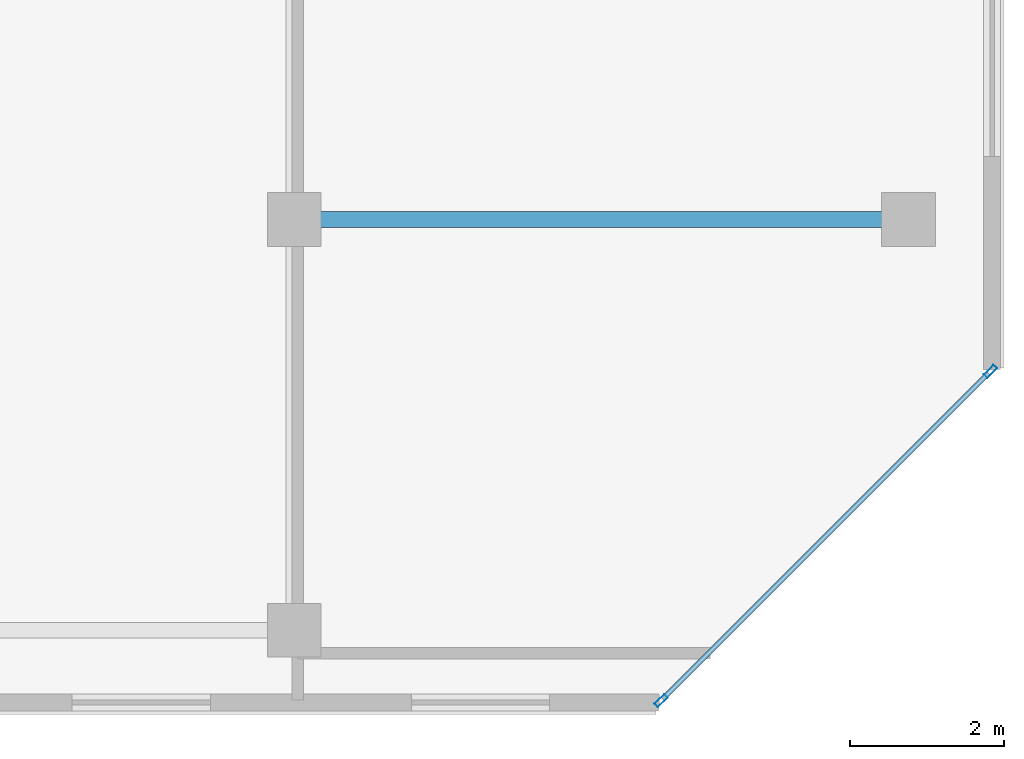
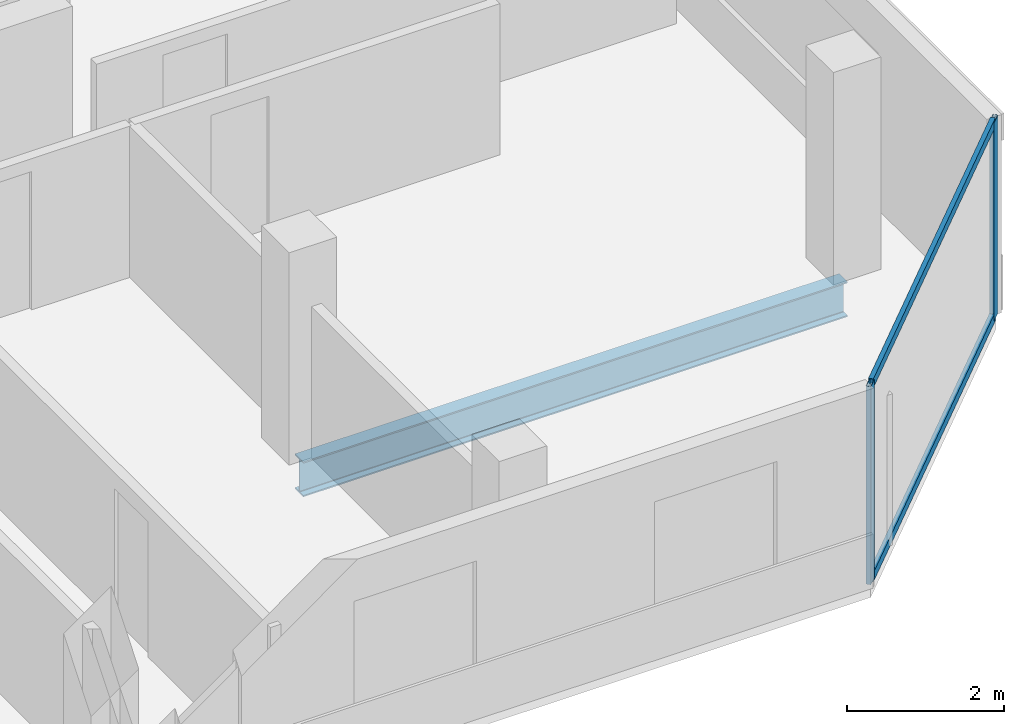
# One storey, part 16 of 29: 4 members, 1 beam, 1 element without a shape of its own.
"""IFC4 building model written with IfcOpenShell, lengths in metres."""

from ifc_helpers import new_model, si_unit, direction, frame, origin, origin_2d, place, context, subcontext, project, spatial, hollow_rectangle, i_section, extrude, material, layer, layer_set, material_profile, profile_set, type_object, element, aggregate, save


model = new_model("IFC4")

# Units and contexts
model_context = context("Model", 3, precision=1e-05, world=origin(), true_north=direction((0.0, 1.0)))
body_context = subcontext(model_context, "Body", "Model", "MODEL_VIEW")
ifc_project = project(units=[si_unit("LENGTHUNIT", "METRE"), si_unit("AREAUNIT", "SQUARE_METRE"), si_unit("VOLUMEUNIT", "CUBIC_METRE"), si_unit("PLANEANGLEUNIT", "RADIAN"), si_unit("MASSUNIT", "GRAM", prefix="KILO")], contexts=[model_context])

# Site, building, storey
site_placement = place(None, origin())
site = spatial("IfcSite", under=ifc_project, at=site_placement, CompositionType="ELEMENT")
building_placement = place(site_placement, origin())
building = spatial("IfcBuilding", under=site, at=building_placement, Name="Tanjung Sevakor Pilgrim Tower", CompositionType="ELEMENT")
storey_placement = place(building_placement, frame((0.0, 0.0, 235.949951171875)))
storey = spatial("IfcBuildingStorey", under=building, at=storey_placement, Name="L66", CompositionType="ELEMENT", Elevation=235.949951171875)

# Beam
ifc_material_1 = material(Name="Steel S355J2", Category="steel")
ifc_material_profile_1 = material_profile(ifc_material_1, i_section(OverallWidth=0.2119140625, OverallDepth=0.54443359375, WebThickness=0.0126953125, FlangeThickness=0.021240234375, FilletRadius=0.0126953125, at=origin_2d()))
ifc_profile_set_1 = profile_set([ifc_material_profile_1], Name="Steel S355J2")
beam_type = type_object("IfcBeamType", Name="BM-B-G5-UB_533x210x122", PredefinedType="BEAM", material=ifc_profile_set_1)
beam_placement = place(storey_placement, frame((90.0, 18.60009765625, -0.4921875), z_axis=(1.0, 0.0, 0.0), x_axis=(0.0, 1.0, 0.0)))
element("IfcBeam", 1, at=beam_placement, inside=storey, type_object=beam_type, Name="L66 East Peak Wing Girder Y18.6", PredefinedType="BEAM", context=body_context, shape_type="SweptSolid", body=[
    extrude(i_section(OverallWidth=0.2119140625, OverallDepth=0.54443359375, WebThickness=0.0126953125, FlangeThickness=0.021240234375, FilletRadius=0.0126953125, at=origin_2d()), origin(), (0.0, 0.0, 1.0), 8.0),
])

# Curtain wall, members
ifc_material_2 = material(Name="Aluminium 6063-T6 and Low-E Glass", Category="aluminium")
ifc_layer = layer(ifc_material_2, 0.179931640625)
ifc_layer_set = layer_set([ifc_layer], Name="CW-SYS-CHAM")
curtain_wall_type = type_object("IfcCurtainWallType", Name="CW-SYS-CHAM", PredefinedType="NOTDEFINED", material=ifc_layer_set)
curtain_wall_placement = place(storey_placement, origin())
curtain_wall = element("IfcCurtainWall", 2, at=curtain_wall_placement, inside=storey, type_object=curtain_wall_type, Name="L66 Curtain Wall CW-CHM-L66-EAST-1", PredefinedType="NOTDEFINED")
ifc_material_3 = material(Name="Aluminium 6063-T6", Category="aluminium")
ifc_material_profile_2 = material_profile(ifc_material_3, hollow_rectangle(XDim=0.06494140625, YDim=0.179931640625, WallThickness=0.00390625, at=origin_2d()))
ifc_profile_set_2 = profile_set([ifc_material_profile_2], Name="Aluminium 6063-T6")
member_type_1 = type_object("IfcMemberType", Name="TYPE-CWM-1", PredefinedType="MULLION", material=ifc_profile_set_2)
member_1_placement = place(storey_placement, frame((94.77734375, 12.3330078125, 0.0), z_axis=(0.0, 0.0, 1.0), x_axis=(-0.707106781187, 0.707106781187, 0.0)))
member_1 = element("IfcMember", 3, at=member_1_placement, type_object=member_type_1, Name="CW-CHM mullion 1", PredefinedType="MULLION", context=body_context, shape_type="SweptSolid", body=[
    extrude(hollow_rectangle(XDim=0.06494140625, YDim=0.179931640625, WallThickness=0.00390625, at=origin_2d()), origin(), (0.0, 0.0, 1.0), 3.080078125),
])
member_2_placement = place(storey_placement, frame((99.067138671875, 16.62255859375, 0.0), z_axis=(0.0, 0.0, 1.0), x_axis=(-0.707106781187, 0.707106781187, 0.0)))
member_2 = element("IfcMember", 4, at=member_2_placement, type_object=member_type_1, Name="CW-CHM mullion 2", PredefinedType="MULLION", context=body_context, shape_type="SweptSolid", body=[
    extrude(hollow_rectangle(XDim=0.06494140625, YDim=0.179931640625, WallThickness=0.00390625, at=origin_2d()), origin(), (0.0, 0.0, 1.0), 3.080078125),
])
ifc_material_4 = material(Name="Aluminium 6063-T6", Category="aluminium")
ifc_material_profile_3 = material_profile(ifc_material_4, hollow_rectangle(XDim=0.06494140625, YDim=0.139892578125, WallThickness=0.00390625, at=origin_2d()))
ifc_profile_set_3 = profile_set([ifc_material_profile_3], Name="Aluminium 6063-T6")
member_type_2 = type_object("IfcMemberType", Name="TYPE-CWT-1", PredefinedType="USERDEFINED", material=ifc_profile_set_3)
member_3_placement = place(storey_placement, frame((94.80029296875, 12.35595703125, 0.032470703125), z_axis=(0.707106781187, 0.707106781187, 0.0), x_axis=(-0.707106781187, 0.707106781187, 0.0)))
member_3 = element("IfcMember", 5, at=member_3_placement, type_object=member_type_2, Name="CW-CHM transom 1.1", ObjectType="TRANSOM", PredefinedType="USERDEFINED", context=body_context, shape_type="SweptSolid", body=[
    extrude(hollow_rectangle(XDim=0.06494140625, YDim=0.139892578125, WallThickness=0.00390625, at=origin_2d()), origin(), (0.0, 0.0, 1.0), 6.00146484375),
])
member_4_placement = place(storey_placement, frame((94.80029296875, 12.35595703125, 3.047607421875), z_axis=(0.707106781187, 0.707106781187, 0.0), x_axis=(-0.707106781187, 0.707106781187, 0.0)))
member_4 = element("IfcMember", 6, at=member_4_placement, type_object=member_type_2, Name="CW-CHM transom 1.2", ObjectType="TRANSOM", PredefinedType="USERDEFINED", context=body_context, shape_type="SweptSolid", body=[
    extrude(hollow_rectangle(XDim=0.06494140625, YDim=0.139892578125, WallThickness=0.00390625, at=origin_2d()), origin(), (0.0, 0.0, 1.0), 6.00146484375),
])
aggregate(curtain_wall, [member_1, member_2, member_3, member_4])

save(model, "model.ifc")
